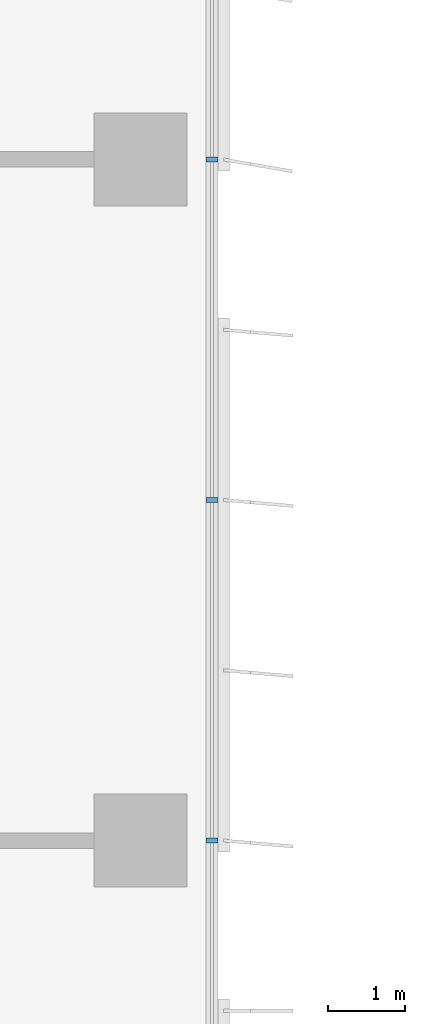
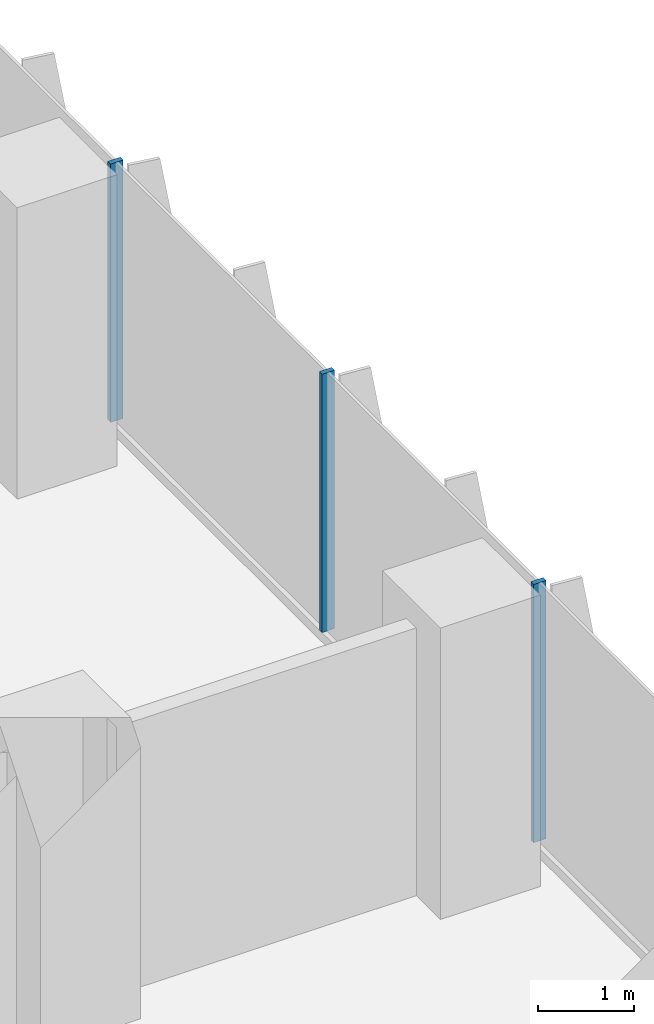
# One storey, part 7 of 23: 3 members, 1 element without a shape of its own.
"""IFC4 building model written with IfcOpenShell, lengths in metres."""

from ifc_helpers import new_model, si_unit, direction, frame, origin, origin_2d, place, context, subcontext, project, spatial, rectangle, extrude, source, transform, mapped, material, material_profile, profile_set, type_object, element, aggregate, save


model = new_model("IFC4")

# Units and contexts
model_context = context("Model", 3, precision=1e-05, world=origin(), true_north=direction((0.0, 1.0)))
body_context = subcontext(model_context, "Body", "Model", "MODEL_VIEW")
ifc_project = project(units=[si_unit("LENGTHUNIT", "METRE"), si_unit("AREAUNIT", "SQUARE_METRE"), si_unit("VOLUMEUNIT", "CUBIC_METRE"), si_unit("PLANEANGLEUNIT", "RADIAN"), si_unit("MASSUNIT", "GRAM", prefix="KILO")], contexts=[model_context])

# Site, building, storey
site_placement = place(None, origin())
site = spatial("IfcSite", under=ifc_project, at=site_placement, CompositionType="ELEMENT")
building_placement = place(site_placement, origin())
building = spatial("IfcBuilding", under=site, at=building_placement, Name="Kemantara Hotel Tower", CompositionType="ELEMENT")
storey_placement = place(building_placement, frame((0.0, 0.0, 118.5)))
storey = spatial("IfcBuildingStorey", under=building, at=storey_placement, Name="L28", CompositionType="ELEMENT", Elevation=118.5)

# Curtain wall, members
ifc_material_1 = material(Name="Low-E tinted double insulated glass 36 mm", Category="glass")
curtain_wall_type = type_object("IfcCurtainWallType", Name="TOWER CURTAIN WALL, FRONT FACES", PredefinedType="USERDEFINED", material=ifc_material_1)
curtain_wall_placement = place(storey_placement, origin())
curtain_wall = element("IfcCurtainWall", 1, at=curtain_wall_placement, inside=storey, type_object=curtain_wall_type, Name="CW4 L28 T2-R14-1", ObjectType="TOWER CURTAIN WALL, FRONT FACES", PredefinedType="USERDEFINED")
ifc_material_2 = material(Name="Aluminium 6063-T6 bronze anodised", Category="aluminium")
ifc_material_profile = material_profile(ifc_material_2, rectangle(XDim=0.14990234375, YDim=0.06005859375, at=origin_2d()), Name="TOWER CURTAIN WALL, FRONT FACES MULLION")
ifc_profile_set = profile_set([ifc_material_profile], Name="Aluminium 6063-T6 bronze anodised")
member_type = type_object("IfcMemberType", Name="TOWER CURTAIN WALL, FRONT FACES MULLION", PredefinedType="MULLION", material=ifc_profile_set)
shared_shape = source(origin(), body_context, "Body", "SweptSolid", [
    extrude(rectangle(XDim=0.14990234375, YDim=0.06005859375, at=origin_2d()), origin(), (0.0, 0.0, 1.0), 3.27978515625),
])
member_1_placement = place(storey_placement, frame((26.72509765625, 53.800048828125, 0.1201171875), z_axis=(0.0, 0.0, 1.0), x_axis=(-1.0, 0.0, 0.0)))
member_1 = element("IfcMember", 2, at=member_1_placement, type_object=member_type, Name="CW4 mullion T2-R14-1.9", PredefinedType="MULLION", context=body_context, shape_type="MappedRepresentation", body=[
    mapped(shared_shape, transform((0.0, 0.0, 0.0))),
])
member_2_placement = place(storey_placement, frame((26.72509765625, 58.199951171875, 0.1201171875), z_axis=(0.0, 0.0, 1.0), x_axis=(-1.0, 0.0, 0.0)))
member_2 = element("IfcMember", 3, at=member_2_placement, type_object=member_type, Name="CW4 mullion T2-R14-1.10", PredefinedType="MULLION", context=body_context, shape_type="MappedRepresentation", body=[
    mapped(shared_shape, transform((0.0, 0.0, 0.0))),
])
member_3_placement = place(storey_placement, frame((26.72509765625, 62.60009765625, 0.1201171875), z_axis=(0.0, 0.0, 1.0), x_axis=(-1.0, 0.0, 0.0)))
member_3 = element("IfcMember", 4, at=member_3_placement, type_object=member_type, Name="CW4 mullion T2-R14-1.11", PredefinedType="MULLION", context=body_context, shape_type="MappedRepresentation", body=[
    mapped(shared_shape, transform((0.0, 0.0, 0.0))),
])
aggregate(curtain_wall, [member_1, member_2, member_3])

save(model, "model.ifc")
